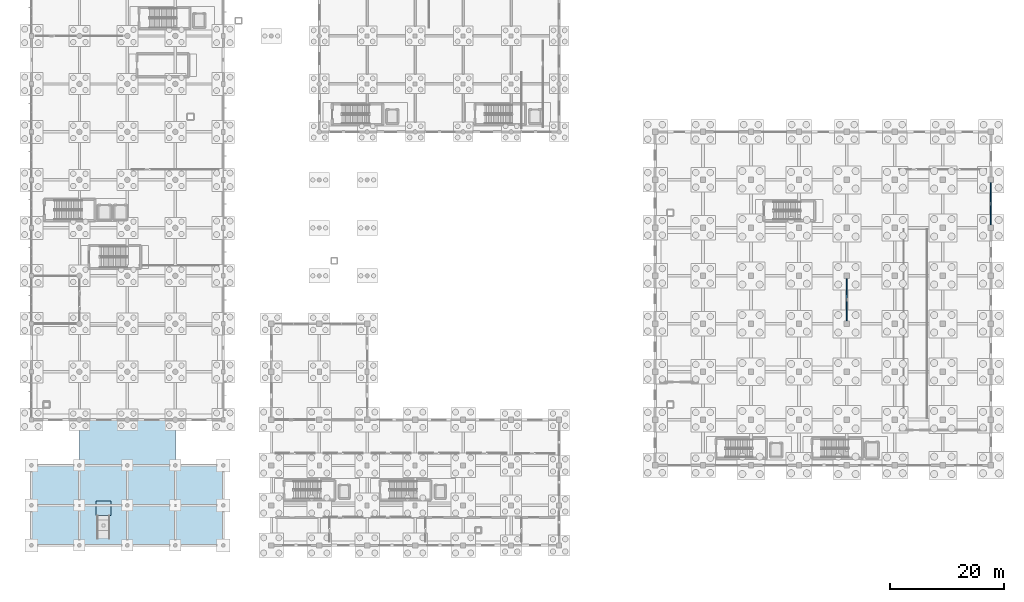
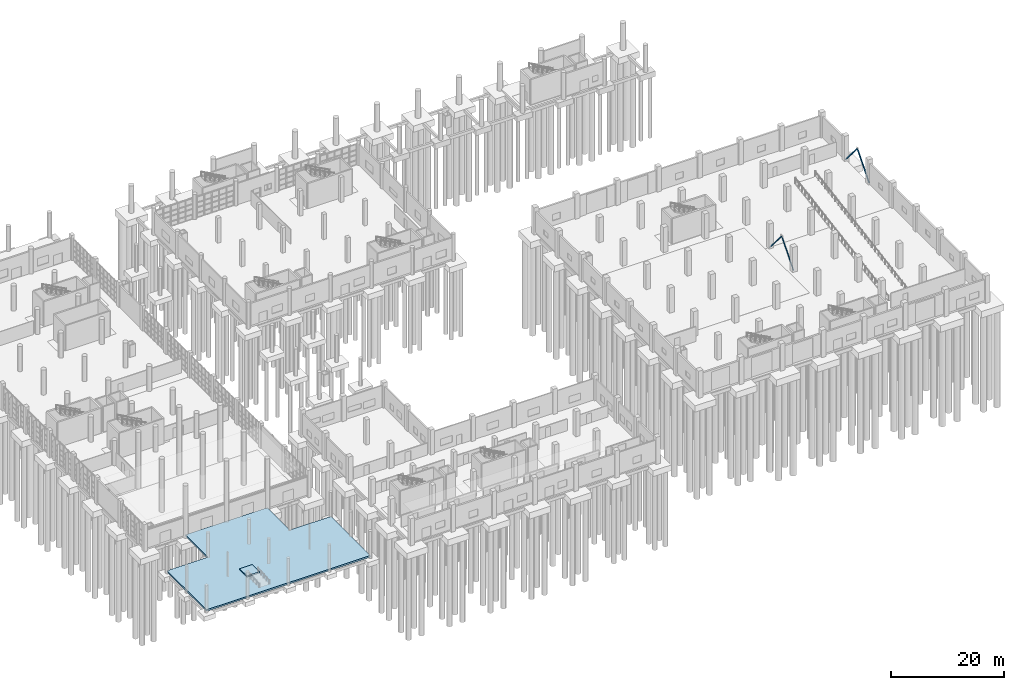
# One storey, part 37 of 83: 4 members, 2 slabs.
"""IFC4 building model written with IfcOpenShell, lengths in metres."""

from ifc_helpers import new_model, si_unit, direction, frame, origin, origin_2d, place, context, subcontext, project, spatial, polyline, hollow_rectangle, outline, extrude, material, layer, layer_set, material_profile, profile_set, type_object, element, save


model = new_model("IFC4")

# Units and contexts
model_context = context("Model", 3, precision=1e-05, world=origin(), true_north=direction((0.0, 1.0)))
body_context = subcontext(model_context, "Body", "Model", "MODEL_VIEW")
ifc_project = project(units=[si_unit("LENGTHUNIT", "METRE"), si_unit("AREAUNIT", "SQUARE_METRE"), si_unit("VOLUMEUNIT", "CUBIC_METRE"), si_unit("PLANEANGLEUNIT", "RADIAN"), si_unit("MASSUNIT", "GRAM", prefix="KILO"), si_unit("THERMODYNAMICTEMPERATUREUNIT", "KELVIN"), si_unit("POWERUNIT", "WATT")], contexts=[model_context])

# Site, building, storey
site_placement = place(None, origin())
site = spatial("IfcSite", under=ifc_project, at=site_placement, CompositionType="ELEMENT")
building_placement = place(site_placement, origin())
building = spatial("IfcBuilding", under=site, at=building_placement, Name="Mavoryth Pier Ferry Terminal", CompositionType="ELEMENT")
storey_placement = place(building_placement, origin())
storey = spatial("IfcBuildingStorey", under=building, at=storey_placement, Name="L00", CompositionType="ELEMENT", Elevation=0.0)

# Members
ifc_material_1 = material(Name="Steel S355J2", Category="steel")
ifc_material_profile_1 = material_profile(ifc_material_1, hollow_rectangle(XDim=0.179931640625, YDim=0.179931640625, WallThickness=0.010009765625, InnerFilletRadius=0.010009765625, OuterFilletRadius=0.02001953125, at=origin_2d()), Name="RHS 180x180x10.0", Category="steel")
ifc_profile_set_1 = profile_set([ifc_material_profile_1], Name="Steel S355J2 - RHS 180x180x10.0")
member_type_1 = type_object("IfcMemberType", Name="Brace-Box-RHS180", PredefinedType="BRACE", material=ifc_profile_set_1)
for number, where, z_axis, x_axis, name in (
    (1, (142.800048828125, 38.800048828125, 0.0), (0.0, 0.64773803869, 0.761863132875), (-1.0, 0.0, 0.0), "Steel Member MB-L00-0306"),
    (2, (142.800048828125, 47.199951171875, 0.0), (0.0, -0.64773803869, 0.761863132875), (1.0, 0.0, 0.0), "Steel Member MB-L00-0307"),
):
    element("IfcMember", number, at=place(storey_placement, frame(where, z_axis=z_axis, x_axis=x_axis)), inside=storey, type_object=member_type_1, Name=name, PredefinedType="BRACE", context=body_context, shape_type="SweptSolid", body=[
        extrude(hollow_rectangle(XDim=0.179931640625, YDim=0.179931640625, WallThickness=0.010009765625, InnerFilletRadius=0.010009765625, OuterFilletRadius=0.02001953125, at=origin_2d()), origin(), (0.0, 0.0, 1.0), 6.484130859375),
    ])
ifc_material_profile_2 = material_profile(ifc_material_1, hollow_rectangle(XDim=0.219970703125, YDim=0.219970703125, WallThickness=0.012451171875, InnerFilletRadius=0.012451171875, OuterFilletRadius=0.02490234375, at=origin_2d()), Name="RHS 220x220x12.5", Category="steel")
ifc_profile_set_2 = profile_set([ifc_material_profile_2], Name="Steel S355J2 - RHS 220x220x12.5")
member_type_2 = type_object("IfcMemberType", Name="Brace-Box-RHS220", PredefinedType="BRACE", material=ifc_profile_set_2)
for number, where, z_axis, x_axis, name in (
    (3, (168.0, 55.60009765625, 0.0), (0.0, 0.64773803869, 0.761863132875), (-1.0, 0.0, 0.0), "Steel Member MB-L00-0308"),
    (4, (168.0, 64.0, 0.0), (0.0, -0.64773803869, 0.761863132875), (1.0, 0.0, 0.0), "Steel Member MB-L00-0309"),
):
    element("IfcMember", number, at=place(storey_placement, frame(where, z_axis=z_axis, x_axis=x_axis)), inside=storey, type_object=member_type_2, Name=name, PredefinedType="BRACE", context=body_context, shape_type="SweptSolid", body=[
        extrude(hollow_rectangle(XDim=0.219970703125, YDim=0.219970703125, WallThickness=0.012451171875, InnerFilletRadius=0.012451171875, OuterFilletRadius=0.02490234375, at=origin_2d()), origin(), (0.0, 0.0, 1.0), 6.484130859375),
    ])

# Slabs
ifc_material_2 = material(Name="Concrete C35/45", Category="concrete")
ifc_layer_1 = layer(ifc_material_2, 0.340087890625, Name="Concrete C35/45", Category="concrete")
ifc_layer_set_1 = layer_set([ifc_layer_1], Name="Concrete C35/45 - Slab-Base-QuayApron-340")
slab_type_1 = type_object("IfcSlabType", Name="Slab-Base-QuayApron-340", PredefinedType="BASESLAB", material=ifc_layer_set_1)
slab_1_placement = place(storey_placement, frame((0.0, 0.0, -0.340087890625)))
element("IfcSlab", 5, at=slab_1_placement, inside=storey, type_object=slab_type_1, Name="Slab SLB-V0-L00", PredefinedType="BASESLAB", context=body_context, shape_type="SweptSolid", body=[
    extrude(outline(polyline([(0.0, 0.0), (33.60009765625, 0.0), (33.60009765625, 14.0), (25.199951171875, 14.0), (25.199951171875, 22.0), (8.39990234375, 22.0), (8.39990234375, 14.0), (0.0, 14.0), (0.0, 0.0)])), origin(), (0.0, 0.0, 1.0), 0.340087890625),
])
ifc_layer_2 = layer(ifc_material_2, 0.239990234375, Name="Concrete C35/45", Category="concrete")
ifc_layer_set_2 = layer_set([ifc_layer_2], Name="Concrete C35/45 - Slab-Floor-Bridge-240")
slab_type_2 = type_object("IfcSlabType", Name="Slab-Floor-Bridge-240", PredefinedType="FLOOR", material=ifc_layer_set_2)
slab_2_placement = place(storey_placement, origin())
element("IfcSlab", 6, at=slab_2_placement, inside=storey, type_object=slab_type_2, Name="Slab SLB-PR01-TOP", PredefinedType="FLOOR", context=body_context, shape_type="SweptSolid", body=[
    extrude(outline(polyline([(11.300048828125, 5.199951171875), (13.89990234375, 5.199951171875), (13.89990234375, 7.800048828125), (11.300048828125, 7.800048828125), (11.300048828125, 5.199951171875)])), origin(), (0.0, 0.0, 1.0), 0.239990234375),
])

save(model, "model.ifc")
